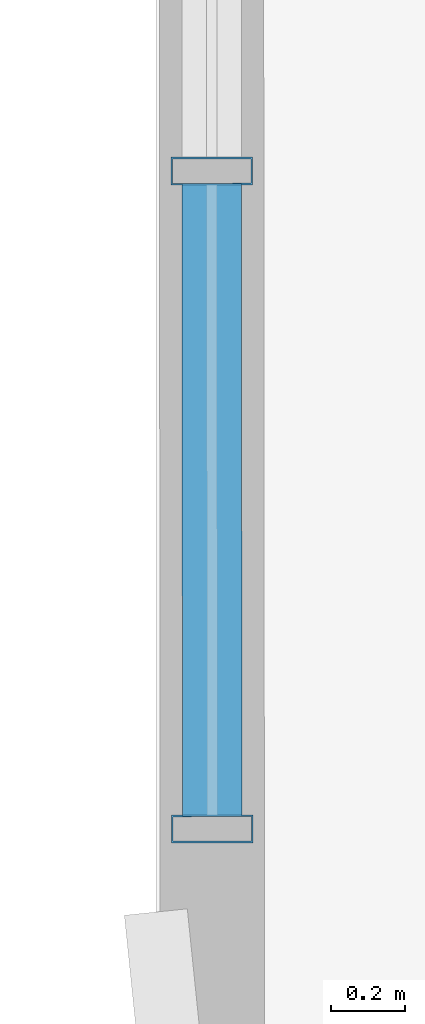
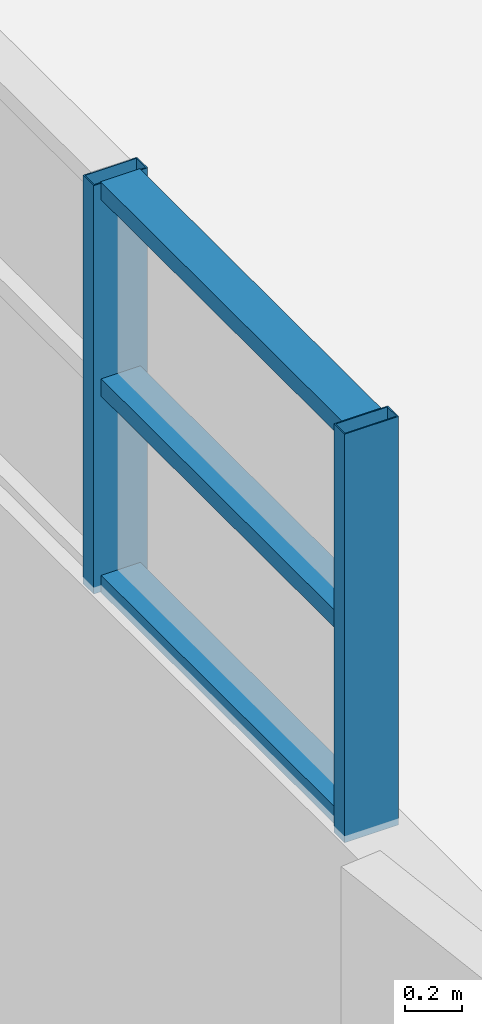
# One storey, part 42 of 142: 5 members, 1 element without a shape of its own.
"""IFC4 building model written with IfcOpenShell, lengths in metres."""

from ifc_helpers import new_model, si_unit, direction, frame, origin, origin_2d, place, context, subcontext, project, spatial, hollow_rectangle, extrude, material, layer, layer_set, material_profile, profile_set, type_object, element, aggregate, save


model = new_model("IFC4")

# Units and contexts
model_context = context("Model", 3, precision=1e-05, world=origin(), true_north=direction((0.0, 1.0)))
body_context = subcontext(model_context, "Body", "Model", "MODEL_VIEW")
ifc_project = project(units=[si_unit("LENGTHUNIT", "METRE"), si_unit("AREAUNIT", "SQUARE_METRE"), si_unit("VOLUMEUNIT", "CUBIC_METRE"), si_unit("PLANEANGLEUNIT", "RADIAN"), si_unit("MASSUNIT", "GRAM", prefix="KILO"), si_unit("THERMODYNAMICTEMPERATUREUNIT", "KELVIN"), si_unit("POWERUNIT", "WATT")], contexts=[model_context])

# Site, building, storey
site_placement = place(None, origin())
site = spatial("IfcSite", under=ifc_project, at=site_placement, CompositionType="ELEMENT")
building_placement = place(site_placement, origin())
building = spatial("IfcBuilding", under=site, at=building_placement, Name="Zelmaris Science Centre", CompositionType="ELEMENT")
storey_placement = place(building_placement, frame((0.0, 0.0, 5.39990234375)))
storey = spatial("IfcBuildingStorey", under=building, at=storey_placement, Name="L01", CompositionType="ELEMENT", Elevation=5.39990234375)

# Curtain wall, members
ifc_material = material(Name="Anodised architectural aluminium 6063-T6", Category="aluminium")
ifc_layer = layer(ifc_material, 0.199951171875, Name="Anodised architectural aluminium 6063-T6")
ifc_layer_set = layer_set([ifc_layer], Name="Anodised architectural aluminium 6063-T6")
curtain_wall_type = type_object("IfcCurtainWallType", Name="Curtain Wall CW-02", PredefinedType="USERDEFINED", material=ifc_layer_set)
curtain_wall_placement = place(storey_placement, origin())
curtain_wall = element("IfcCurtainWall", 1, at=curtain_wall_placement, inside=storey, type_object=curtain_wall_type, Name="L01 Clerestory curtain wall 194", ObjectType="GLAZED CURTAIN WALL", PredefinedType="USERDEFINED")
ifc_material_profile_1 = material_profile(ifc_material, hollow_rectangle(XDim=0.074951171875, YDim=0.219970703125, WallThickness=0.0048828125, at=origin_2d()), Name="ALU-MUL-75X220")
ifc_profile_set_1 = profile_set([ifc_material_profile_1], Name="Anodised architectural aluminium 6063-T6")
member_type_1 = type_object("IfcMemberType", Name="ALU-MUL-75X220", PredefinedType="MULLION", material=ifc_profile_set_1)
member_1_placement = place(storey_placement, frame((75.151123046875, 52.994873046875, 2.420166015625), z_axis=(0.0, 0.0, 1.0), x_axis=(-0.000778416768, 0.999999697034, 0.0)))
member_1 = element("IfcMember", 2, at=member_1_placement, type_object=member_type_1, Name="CW-02 mullion 1", PredefinedType="MULLION", context=body_context, shape_type="SweptSolid", body=[
    extrude(hollow_rectangle(XDim=0.074951171875, YDim=0.219970703125, WallThickness=0.0048828125, at=origin_2d()), origin(), (0.0, 0.0, 1.0), 1.759033203125),
])
member_2_placement = place(storey_placement, frame((75.149658203125, 54.76123046875, 2.420166015625), z_axis=(0.0, 0.0, 1.0), x_axis=(-0.000778416768, 0.999999697034, 0.0)))
member_2 = element("IfcMember", 3, at=member_2_placement, type_object=member_type_1, Name="CW-02 mullion 2", PredefinedType="MULLION", context=body_context, shape_type="SweptSolid", body=[
    extrude(hollow_rectangle(XDim=0.074951171875, YDim=0.219970703125, WallThickness=0.0048828125, at=origin_2d()), origin(), (0.0, 0.0, 1.0), 1.759033203125),
])
ifc_material_profile_2 = material_profile(ifc_material, hollow_rectangle(XDim=0.074951171875, YDim=0.159912109375, WallThickness=0.00390625, at=origin_2d()), Name="ALU-TRN-75X160")
ifc_profile_set_2 = profile_set([ifc_material_profile_2], Name="Anodised architectural aluminium 6063-T6")
member_type_2 = type_object("IfcMemberType", Name="ALU-TRN-75X160", PredefinedType="USERDEFINED", material=ifc_profile_set_2)
member_3_placement = place(storey_placement, frame((75.15087890625, 53.0283203125, 2.45361328125), z_axis=(-0.000718287417, 0.999999742032, 0.0), x_axis=(0.0, 0.0, 1.0)))
member_3 = element("IfcMember", 4, at=member_3_placement, type_object=member_type_2, Name="CW-02 transom 1.1", ObjectType="TRANSOM", PredefinedType="USERDEFINED", context=body_context, shape_type="SweptSolid", body=[
    extrude(hollow_rectangle(XDim=0.074951171875, YDim=0.159912109375, WallThickness=0.00390625, at=origin_2d()), origin(), (0.0, 0.0, 1.0), 1.699462890625),
])
member_4_placement = place(storey_placement, frame((75.15087890625, 53.0283203125, 3.299560546875), z_axis=(-0.000718287417, 0.999999742032, 0.0), x_axis=(0.0, 0.0, 1.0)))
member_4 = element("IfcMember", 5, at=member_4_placement, type_object=member_type_2, Name="CW-02 transom 1.2", ObjectType="TRANSOM", PredefinedType="USERDEFINED", context=body_context, shape_type="SweptSolid", body=[
    extrude(hollow_rectangle(XDim=0.074951171875, YDim=0.159912109375, WallThickness=0.00390625, at=origin_2d()), origin(), (0.0, 0.0, 1.0), 1.699462890625),
])
member_5_placement = place(storey_placement, frame((75.15087890625, 53.0283203125, 4.1455078125), z_axis=(-0.000718287417, 0.999999742032, 0.0), x_axis=(0.0, 0.0, 1.0)))
member_5 = element("IfcMember", 6, at=member_5_placement, type_object=member_type_2, Name="CW-02 transom 1.3", ObjectType="TRANSOM", PredefinedType="USERDEFINED", context=body_context, shape_type="SweptSolid", body=[
    extrude(hollow_rectangle(XDim=0.074951171875, YDim=0.159912109375, WallThickness=0.00390625, at=origin_2d()), origin(), (0.0, 0.0, 1.0), 1.699462890625),
])
aggregate(curtain_wall, [member_1, member_2, member_3, member_4, member_5])

save(model, "model.ifc")
